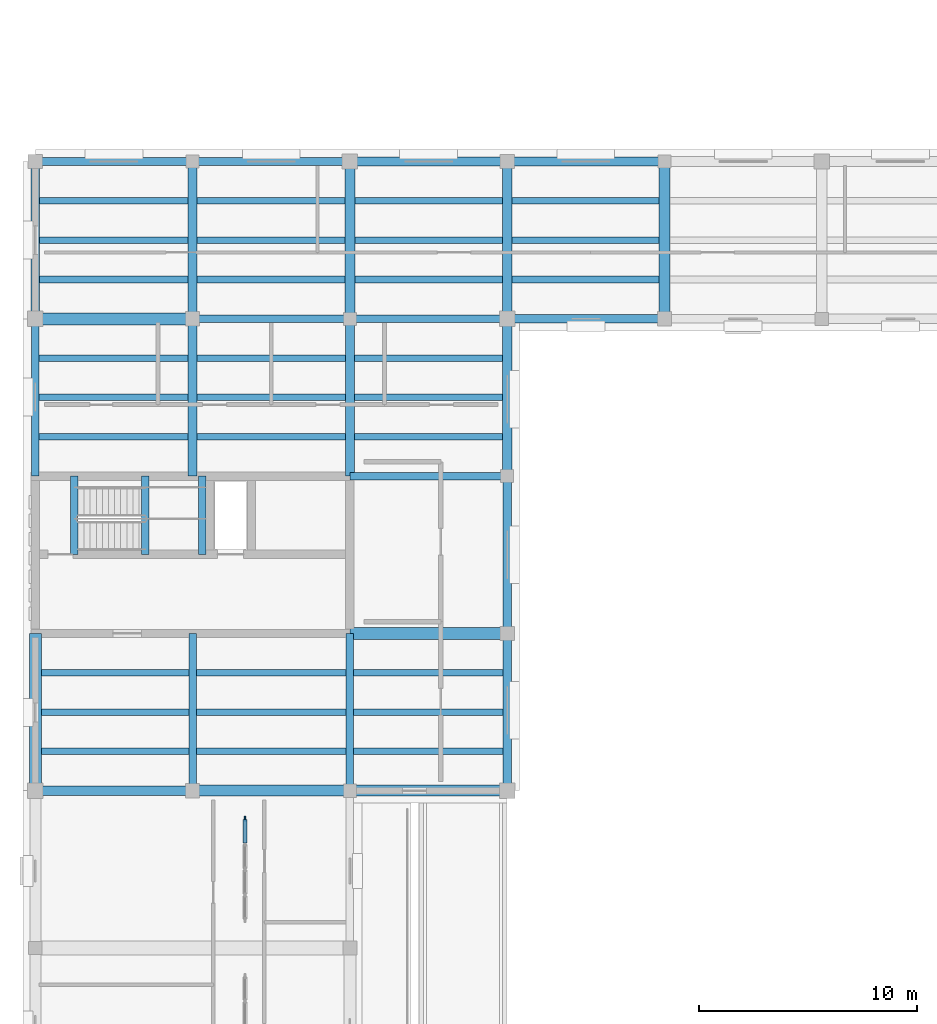
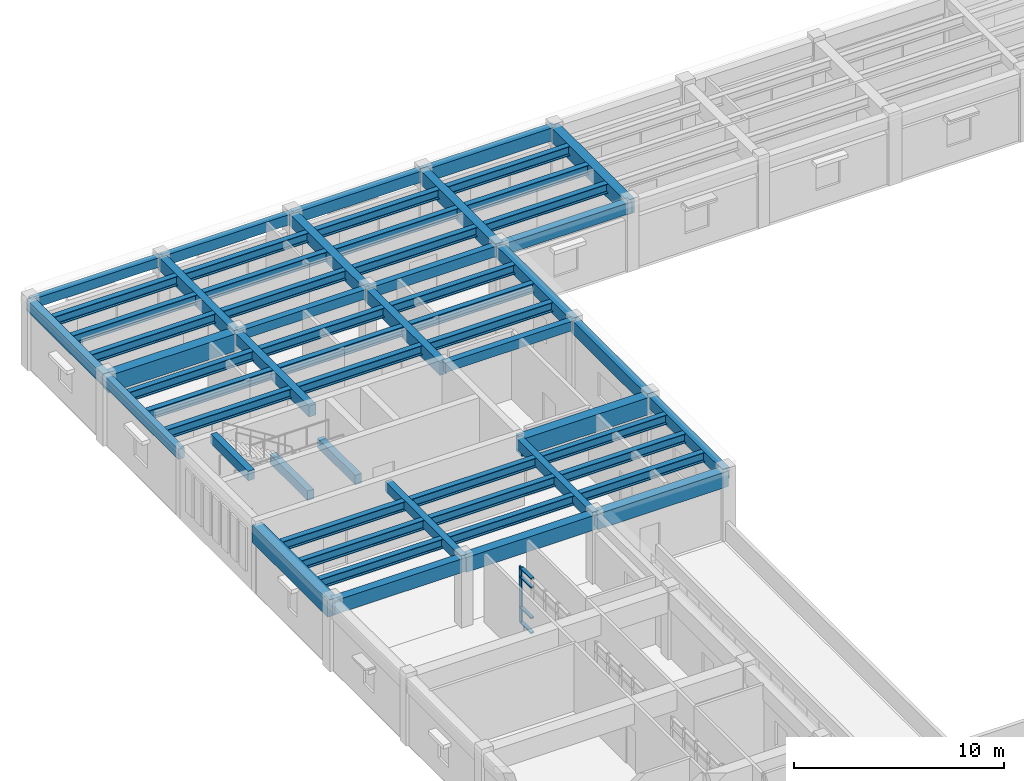
# One storey, part 3 of 40: 60 beams, 5 members, 1 element without a shape of its own.
"""IFC4 building model written with IfcOpenShell, lengths in metres."""

from ifc_helpers import new_model, si_unit, direction, frame, origin, origin_2d, place, context, subcontext, project, spatial, rectangle, i_section, extrude, material, material_profile, profile_set, type_object, element, aggregate, save


model = new_model("IFC4")

# Units and contexts
model_context = context("Model", 3, precision=1e-05, world=origin(), true_north=direction((0.0, 1.0)))
body_context = subcontext(model_context, "Body", "Model", "MODEL_VIEW")
ifc_project = project(units=[si_unit("LENGTHUNIT", "METRE"), si_unit("AREAUNIT", "SQUARE_METRE"), si_unit("VOLUMEUNIT", "CUBIC_METRE"), si_unit("PLANEANGLEUNIT", "RADIAN"), si_unit("MASSUNIT", "GRAM", prefix="KILO")], contexts=[model_context])

# Site, building, storey
site_placement = place(None, origin())
site = spatial("IfcSite", under=ifc_project, at=site_placement, CompositionType="ELEMENT")
building_placement = place(site_placement, origin())
building = spatial("IfcBuilding", under=site, at=building_placement, Name="Mithqara Police Headquarters", CompositionType="ELEMENT")
storey_placement = place(building_placement, frame((0.0, 0.0, 13.800048828125)))
storey = spatial("IfcBuildingStorey", under=building, at=storey_placement, Name="L03", CompositionType="ELEMENT", Elevation=13.800048828125)

# Beams
ifc_material_1 = material(Name="Steel S355JR", Category="steel")
ifc_material_profile_1 = material_profile(ifc_material_1, i_section(OverallWidth=0.300048828125, OverallDepth=0.550048828125, WebThickness=0.014892578125, FlangeThickness=0.029052734375, FilletRadius=0.027099609375, at=origin_2d()), Name="HEB 550")
ifc_profile_set_1 = profile_set([ifc_material_profile_1], Name="Steel S355JR")
beam_type_1 = type_object("IfcBeamType", Name="BEAM HEB550", PredefinedType="BEAM", material=ifc_profile_set_1)
for number, where, z_axis, x_axis, name in (
    (1, (8.074951171875, 58.800048828125, 3.6650390625), (1.0, 0.0, 0.0), (0.0, 1.0, 0.0), "L03 Composite Steel Joist 2-3/J.1"),
    (2, (8.074951171875, 60.60009765625, 3.6650390625), (1.0, 0.0, 0.0), (0.0, 1.0, 0.0), "L03 Composite Steel Joist 2-3/J.2"),
    (3, (8.074951171875, 62.39990234375, 3.6650390625), (1.0, 0.0, 0.0), (0.0, 1.0, 0.0), "L03 Composite Steel Joist 2-3/J.3"),
):
    element("IfcBeam", number, at=place(storey_placement, frame(where, z_axis=z_axis, x_axis=x_axis)), inside=storey, type_object=beam_type_1, Name=name, PredefinedType="BEAM", context=body_context, shape_type="SweptSolid", body=[
        extrude(i_section(OverallWidth=0.300048828125, OverallDepth=0.550048828125, WebThickness=0.014892578125, FlangeThickness=0.029052734375, FilletRadius=0.027099609375, at=origin_2d()), origin(), (0.0, 0.0, 1.0), 6.75),
    ])
for number, where, z_axis, x_axis, name in (
    (4, (7.97509765625, 73.199951171875, 3.6650390625), (1.0, 0.0, 0.0), (0.0, 1.0, 0.0), "L03 Composite Steel Joist 2-3/L.1"),
    (5, (7.97509765625, 75.0, 3.6650390625), (1.0, 0.0, 0.0), (0.0, 1.0, 0.0), "L03 Composite Steel Joist 2-3/L.2"),
    (6, (7.97509765625, 76.800048828125, 3.6650390625), (1.0, 0.0, 0.0), (0.0, 1.0, 0.0), "L03 Composite Steel Joist 2-3/L.3"),
):
    element("IfcBeam", number, at=place(storey_placement, frame(where, z_axis=z_axis, x_axis=x_axis)), inside=storey, type_object=beam_type_1, Name=name, PredefinedType="BEAM", context=body_context, shape_type="SweptSolid", body=[
        extrude(i_section(OverallWidth=0.300048828125, OverallDepth=0.550048828125, WebThickness=0.014892578125, FlangeThickness=0.029052734375, FilletRadius=0.027099609375, at=origin_2d()), origin(), (0.0, 0.0, 1.0), 6.824951171875),
    ])
for number, where, z_axis, x_axis, name in (
    (7, (8.0, 80.39990234375, 3.6650390625), (1.0, 0.0, 0.0), (0.0, 1.0, 0.0), "L03 Composite Steel Joist 2-3/M.1"),
    (8, (8.0, 82.199951171875, 3.6650390625), (1.0, 0.0, 0.0), (0.0, 1.0, 0.0), "L03 Composite Steel Joist 2-3/M.2"),
    (9, (8.0, 84.0, 3.6650390625), (1.0, 0.0, 0.0), (0.0, 1.0, 0.0), "L03 Composite Steel Joist 2-3/M.3"),
):
    element("IfcBeam", number, at=place(storey_placement, frame(where, z_axis=z_axis, x_axis=x_axis)), inside=storey, type_object=beam_type_1, Name=name, PredefinedType="BEAM", context=body_context, shape_type="SweptSolid", body=[
        extrude(i_section(OverallWidth=0.300048828125, OverallDepth=0.550048828125, WebThickness=0.014892578125, FlangeThickness=0.029052734375, FilletRadius=0.027099609375, at=origin_2d()), origin(), (0.0, 0.0, 1.0), 6.800048828125),
    ])
for number, where, z_axis, x_axis, name in (
    (10, (15.175048828125, 58.800048828125, 3.6650390625), (1.0, 0.0, 0.0), (0.0, 1.0, 0.0), "L03 Composite Steel Joist 3-4/J.1"),
    (11, (15.175048828125, 60.60009765625, 3.6650390625), (1.0, 0.0, 0.0), (0.0, 1.0, 0.0), "L03 Composite Steel Joist 3-4/J.2"),
    (12, (15.175048828125, 62.39990234375, 3.6650390625), (1.0, 0.0, 0.0), (0.0, 1.0, 0.0), "L03 Composite Steel Joist 3-4/J.3"),
):
    element("IfcBeam", number, at=place(storey_placement, frame(where, z_axis=z_axis, x_axis=x_axis)), inside=storey, type_object=beam_type_1, Name=name, PredefinedType="BEAM", context=body_context, shape_type="SweptSolid", body=[
        extrude(i_section(OverallWidth=0.300048828125, OverallDepth=0.550048828125, WebThickness=0.014892578125, FlangeThickness=0.029052734375, FilletRadius=0.027099609375, at=origin_2d()), origin(), (0.0, 0.0, 1.0), 6.849853515625),
    ])
for number, where, z_axis, x_axis, name in (
    (13, (15.199951171875, 73.199951171875, 3.6650390625), (1.0, 0.0, 0.0), (0.0, 1.0, 0.0), "L03 Composite Steel Joist 3-4/L.1"),
    (14, (15.199951171875, 75.0, 3.6650390625), (1.0, 0.0, 0.0), (0.0, 1.0, 0.0), "L03 Composite Steel Joist 3-4/L.2"),
    (15, (15.199951171875, 76.800048828125, 3.6650390625), (1.0, 0.0, 0.0), (0.0, 1.0, 0.0), "L03 Composite Steel Joist 3-4/L.3"),
):
    element("IfcBeam", number, at=place(storey_placement, frame(where, z_axis=z_axis, x_axis=x_axis)), inside=storey, type_object=beam_type_1, Name=name, PredefinedType="BEAM", context=body_context, shape_type="SweptSolid", body=[
        extrude(i_section(OverallWidth=0.300048828125, OverallDepth=0.550048828125, WebThickness=0.014892578125, FlangeThickness=0.029052734375, FilletRadius=0.027099609375, at=origin_2d()), origin(), (0.0, 0.0, 1.0), 6.800048828125),
    ])
for number, where, z_axis, x_axis, name in (
    (16, (15.199951171875, 80.39990234375, 3.6650390625), (1.0, 0.0, 0.0), (0.0, 1.0, 0.0), "L03 Composite Steel Joist 3-4/M.1"),
    (17, (15.199951171875, 82.199951171875, 3.6650390625), (1.0, 0.0, 0.0), (0.0, 1.0, 0.0), "L03 Composite Steel Joist 3-4/M.2"),
    (18, (15.199951171875, 84.0, 3.6650390625), (1.0, 0.0, 0.0), (0.0, 1.0, 0.0), "L03 Composite Steel Joist 3-4/M.3"),
):
    element("IfcBeam", number, at=place(storey_placement, frame(where, z_axis=z_axis, x_axis=x_axis)), inside=storey, type_object=beam_type_1, Name=name, PredefinedType="BEAM", context=body_context, shape_type="SweptSolid", body=[
        extrude(i_section(OverallWidth=0.300048828125, OverallDepth=0.550048828125, WebThickness=0.014892578125, FlangeThickness=0.029052734375, FilletRadius=0.027099609375, at=origin_2d()), origin(), (0.0, 0.0, 1.0), 6.775146484375),
    ])
for number, where, z_axis, x_axis, name in (
    (19, (22.375, 58.800048828125, 3.6650390625), (1.0, 0.0, 0.0), (0.0, 1.0, 0.0), "L03 Composite Steel Joist 4-5/J.1"),
    (20, (22.375, 60.60009765625, 3.6650390625), (1.0, 0.0, 0.0), (0.0, 1.0, 0.0), "L03 Composite Steel Joist 4-5/J.2"),
    (21, (22.375, 62.39990234375, 3.6650390625), (1.0, 0.0, 0.0), (0.0, 1.0, 0.0), "L03 Composite Steel Joist 4-5/J.3"),
):
    element("IfcBeam", number, at=place(storey_placement, frame(where, z_axis=z_axis, x_axis=x_axis)), inside=storey, type_object=beam_type_1, Name=name, PredefinedType="BEAM", context=body_context, shape_type="SweptSolid", body=[
        extrude(i_section(OverallWidth=0.300048828125, OverallDepth=0.550048828125, WebThickness=0.014892578125, FlangeThickness=0.029052734375, FilletRadius=0.027099609375, at=origin_2d()), origin(), (0.0, 0.0, 1.0), 6.824951171875),
    ])
for number, where, z_axis, x_axis, name in (
    (22, (22.39990234375, 73.199951171875, 3.6650390625), (1.0, 0.0, 0.0), (0.0, 1.0, 0.0), "L03 Composite Steel Joist 4-5/L.1"),
    (23, (22.39990234375, 75.0, 3.6650390625), (1.0, 0.0, 0.0), (0.0, 1.0, 0.0), "L03 Composite Steel Joist 4-5/L.2"),
    (24, (22.39990234375, 76.800048828125, 3.6650390625), (1.0, 0.0, 0.0), (0.0, 1.0, 0.0), "L03 Composite Steel Joist 4-5/L.3"),
):
    element("IfcBeam", number, at=place(storey_placement, frame(where, z_axis=z_axis, x_axis=x_axis)), inside=storey, type_object=beam_type_1, Name=name, PredefinedType="BEAM", context=body_context, shape_type="SweptSolid", body=[
        extrude(i_section(OverallWidth=0.300048828125, OverallDepth=0.550048828125, WebThickness=0.014892578125, FlangeThickness=0.029052734375, FilletRadius=0.027099609375, at=origin_2d()), origin(), (0.0, 0.0, 1.0), 6.775146484375),
    ])
for number, where, z_axis, x_axis, name in (
    (25, (22.425048828125, 80.39990234375, 3.6650390625), (1.0, 0.0, 0.0), (0.0, 1.0, 0.0), "L03 Composite Steel Joist 4-5/M.1"),
    (26, (22.425048828125, 82.199951171875, 3.6650390625), (1.0, 0.0, 0.0), (0.0, 1.0, 0.0), "L03 Composite Steel Joist 4-5/M.2"),
    (27, (22.425048828125, 84.0, 3.6650390625), (1.0, 0.0, 0.0), (0.0, 1.0, 0.0), "L03 Composite Steel Joist 4-5/M.3"),
):
    element("IfcBeam", number, at=place(storey_placement, frame(where, z_axis=z_axis, x_axis=x_axis)), inside=storey, type_object=beam_type_1, Name=name, PredefinedType="BEAM", context=body_context, shape_type="SweptSolid", body=[
        extrude(i_section(OverallWidth=0.300048828125, OverallDepth=0.550048828125, WebThickness=0.014892578125, FlangeThickness=0.029052734375, FilletRadius=0.027099609375, at=origin_2d()), origin(), (0.0, 0.0, 1.0), 6.75),
    ])
for number, where, z_axis, x_axis, name in (
    (28, (29.625, 80.39990234375, 3.6650390625), (1.0, 0.0, 0.0), (0.0, 1.0, 0.0), "L03 Composite Steel Joist 5-6/M.1"),
    (29, (29.625, 82.199951171875, 3.6650390625), (1.0, 0.0, 0.0), (0.0, 1.0, 0.0), "L03 Composite Steel Joist 5-6/M.2"),
    (30, (29.625, 84.0, 3.6650390625), (1.0, 0.0, 0.0), (0.0, 1.0, 0.0), "L03 Composite Steel Joist 5-6/M.3"),
):
    element("IfcBeam", number, at=place(storey_placement, frame(where, z_axis=z_axis, x_axis=x_axis)), inside=storey, type_object=beam_type_1, Name=name, PredefinedType="BEAM", context=body_context, shape_type="SweptSolid", body=[
        extrude(i_section(OverallWidth=0.300048828125, OverallDepth=0.550048828125, WebThickness=0.014892578125, FlangeThickness=0.029052734375, FilletRadius=0.027099609375, at=origin_2d()), origin(), (0.0, 0.0, 1.0), 6.72509765625),
    ])
ifc_material_2 = material(Name="Concrete C40/50", Category="concrete")
ifc_material_profile_2 = material_profile(ifc_material_2, rectangle(XDim=0.35009765625, YDim=0.550048828125, at=origin_2d()), Name="RC 350x550")
ifc_profile_set_2 = profile_set([ifc_material_profile_2], Name="Concrete C40/50")
beam_type_2 = type_object("IfcBeamType", Name="BEAM RC350X550", PredefinedType="BEAM", material=ifc_profile_set_2)
for number, where, z_axis, x_axis, name in (
    (31, (7.800048828125, 85.800048828125, 3.6650390625), (1.0, 0.0, 0.0), (0.0, 1.0, 0.0), "L03 Girder 2-3/N"),
    (32, (15.0, 57.0, 3.6650390625), (0.0, 1.0, 0.0), (-1.0, 0.0, 0.0), "L03 Girder 3/J-K"),
    (33, (15.0, 78.60009765625, 3.6650390625), (1.0, 0.0, 0.0), (0.0, 1.0, 0.0), "L03 Girder 3-4/M"),
    (34, (22.199951171875, 71.39990234375, 3.6650390625), (1.0, 0.0, 0.0), (0.0, 1.0, 0.0), "L03 Girder 4-5/L"),
):
    element("IfcBeam", number, at=place(storey_placement, frame(where, z_axis=z_axis, x_axis=x_axis)), inside=storey, type_object=beam_type_2, Name=name, PredefinedType="BEAM", context=body_context, shape_type="SweptSolid", body=[
        extrude(rectangle(XDim=0.35009765625, YDim=0.550048828125, at=origin_2d()), origin(), (0.0, 0.0, 1.0), 7.199951171875),
    ])
for number, where, z_axis, x_axis, name in (
    (35, (12.830078125, 67.820068359375, 1.635009765625), (0.0, 1.0, 0.0), (-1.0, 0.0, 0.0), "L03 ST-03 Half-Landing Bearer LF"),
    (36, (15.449951171875, 67.820068359375, 1.635009765625), (0.0, 1.0, 0.0), (-1.0, 0.0, 0.0), "L03 ST-03 Half-Landing Bearer LB"),
    (37, (9.576904296875, 67.820068359375, 3.925048828125), (0.0, 1.0, 0.0), (-1.0, 0.0, 0.0), "L03 ST-03 Stairwell Trimmer Beam"),
):
    element("IfcBeam", number, at=place(storey_placement, frame(where, z_axis=z_axis, x_axis=x_axis)), inside=storey, type_object=beam_type_2, Name=name, PredefinedType="BEAM", context=body_context, shape_type="SweptSolid", body=[
        extrude(rectangle(XDim=0.35009765625, YDim=0.550048828125, at=origin_2d()), origin(), (0.0, 0.0, 1.0), 3.579833984375),
    ])
ifc_material_profile_3 = material_profile(ifc_material_2, rectangle(XDim=0.35009765625, YDim=0.60009765625, at=origin_2d()), Name="RC 350x600")
ifc_profile_set_3 = profile_set([ifc_material_profile_3], Name="Concrete C40/50")
beam_type_3 = type_object("IfcBeamType", Name="BEAM RC350X600", PredefinedType="BEAM", material=ifc_profile_set_3)
beam_1_placement = place(storey_placement, frame((7.800048828125, 71.39990234375, 3.639892578125), z_axis=(0.0, 1.0, 0.0), x_axis=(-1.0, 0.0, 0.0)))
element("IfcBeam", 38, at=beam_1_placement, inside=storey, type_object=beam_type_3, Name="L03 Girder 2/L-M", PredefinedType="BEAM", context=body_context, shape_type="SweptSolid", body=[
    extrude(rectangle(XDim=0.35009765625, YDim=0.60009765625, at=origin_2d()), origin(), (0.0, 0.0, 1.0), 7.2001953125),
])
for number, where, z_axis, x_axis, name in (
    (39, (15.0, 85.800048828125, 3.639892578125), (1.0, 0.0, 0.0), (0.0, 1.0, 0.0), "L03 Girder 3-4/N"),
    (40, (22.199951171875, 57.0, 3.639892578125), (0.0, 1.0, 0.0), (-1.0, 0.0, 0.0), "L03 Girder 4/J-K"),
    (41, (22.199951171875, 78.60009765625, 3.639892578125), (1.0, 0.0, 0.0), (0.0, 1.0, 0.0), "L03 Girder 4-5/M"),
):
    element("IfcBeam", number, at=place(storey_placement, frame(where, z_axis=z_axis, x_axis=x_axis)), inside=storey, type_object=beam_type_3, Name=name, PredefinedType="BEAM", context=body_context, shape_type="SweptSolid", body=[
        extrude(rectangle(XDim=0.35009765625, YDim=0.60009765625, at=origin_2d()), origin(), (0.0, 0.0, 1.0), 7.199951171875),
    ])
ifc_material_profile_4 = material_profile(ifc_material_2, rectangle(XDim=0.39990234375, YDim=0.64990234375, at=origin_2d()), Name="RC 400x650")
ifc_profile_set_4 = profile_set([ifc_material_profile_4], Name="Concrete C40/50")
beam_type_4 = type_object("IfcBeamType", Name="BEAM RC400X650", PredefinedType="BEAM", material=ifc_profile_set_4)
beam_2_placement = place(storey_placement, frame((7.800048828125, 78.60009765625, 3.614990234375), z_axis=(0.0, 1.0, 0.0), x_axis=(-1.0, 0.0, 0.0)))
element("IfcBeam", 42, at=beam_2_placement, inside=storey, type_object=beam_type_4, Name="L03 Girder 2/M-N", PredefinedType="BEAM", context=body_context, shape_type="SweptSolid", body=[
    extrude(rectangle(XDim=0.39990234375, YDim=0.64990234375, at=origin_2d()), origin(), (0.0, 0.0, 1.0), 7.199951171875),
])
beam_3_placement = place(storey_placement, frame((15.0, 71.39990234375, 3.614990234375), z_axis=(0.0, 1.0, 0.0), x_axis=(-1.0, 0.0, 0.0)))
element("IfcBeam", 43, at=beam_3_placement, inside=storey, type_object=beam_type_4, Name="L03 Girder 3/L-M", PredefinedType="BEAM", context=body_context, shape_type="SweptSolid", body=[
    extrude(rectangle(XDim=0.39990234375, YDim=0.64990234375, at=origin_2d()), origin(), (0.0, 0.0, 1.0), 7.2001953125),
])
for number, where, z_axis, x_axis, name in (
    (44, (22.199951171875, 85.800048828125, 3.614990234375), (1.0, 0.0, 0.0), (0.0, 1.0, 0.0), "L03 Girder 4-5/N"),
    (45, (29.39990234375, 57.0, 3.614990234375), (0.0, 1.0, 0.0), (-1.0, 0.0, 0.0), "L03 Girder 5/J-K"),
):
    element("IfcBeam", number, at=place(storey_placement, frame(where, z_axis=z_axis, x_axis=x_axis)), inside=storey, type_object=beam_type_4, Name=name, PredefinedType="BEAM", context=body_context, shape_type="SweptSolid", body=[
        extrude(rectangle(XDim=0.39990234375, YDim=0.64990234375, at=origin_2d()), origin(), (0.0, 0.0, 1.0), 7.199951171875),
    ])
beam_4_placement = place(storey_placement, frame((29.39990234375, 78.60009765625, 3.614990234375), z_axis=(1.0, 0.0, 0.0), x_axis=(0.0, 1.0, 0.0)))
element("IfcBeam", 46, at=beam_4_placement, inside=storey, type_object=beam_type_4, Name="L03 Girder 5-6/M", PredefinedType="BEAM", context=body_context, shape_type="SweptSolid", body=[
    extrude(rectangle(XDim=0.39990234375, YDim=0.64990234375, at=origin_2d()), origin(), (0.0, 0.0, 1.0), 7.2001953125),
])
ifc_material_profile_5 = material_profile(ifc_material_2, rectangle(XDim=0.39990234375, YDim=0.75, at=origin_2d()), Name="RC 400x750")
ifc_profile_set_5 = profile_set([ifc_material_profile_5], Name="Concrete C40/50")
beam_type_5 = type_object("IfcBeamType", Name="BEAM RC400X750", PredefinedType="BEAM", material=ifc_profile_set_5)
beam_5_placement = place(storey_placement, frame((15.0, 78.60009765625, 3.56494140625), z_axis=(0.0, 1.0, 0.0), x_axis=(-1.0, 0.0, 0.0)))
element("IfcBeam", 47, at=beam_5_placement, inside=storey, type_object=beam_type_5, Name="L03 Girder 3/M-N", PredefinedType="BEAM", context=body_context, shape_type="SweptSolid", body=[
    extrude(rectangle(XDim=0.39990234375, YDim=0.75, at=origin_2d()), origin(), (0.0, 0.0, 1.0), 7.199951171875),
])
beam_6_placement = place(storey_placement, frame((22.199951171875, 71.39990234375, 3.56494140625), z_axis=(0.0, 1.0, 0.0), x_axis=(-1.0, 0.0, 0.0)))
element("IfcBeam", 48, at=beam_6_placement, inside=storey, type_object=beam_type_5, Name="L03 Girder 4/L-M", PredefinedType="BEAM", context=body_context, shape_type="SweptSolid", body=[
    extrude(rectangle(XDim=0.39990234375, YDim=0.75, at=origin_2d()), origin(), (0.0, 0.0, 1.0), 7.2001953125),
])
beam_7_placement = place(storey_placement, frame((29.39990234375, 64.199951171875, 3.56494140625), z_axis=(0.0, 1.0, 0.0), x_axis=(-1.0, 0.0, 0.0)))
element("IfcBeam", 49, at=beam_7_placement, inside=storey, type_object=beam_type_5, Name="L03 Girder 5/K-L", PredefinedType="BEAM", context=body_context, shape_type="SweptSolid", body=[
    extrude(rectangle(XDim=0.39990234375, YDim=0.75, at=origin_2d()), origin(), (0.0, 0.0, 1.0), 7.199951171875),
])
beam_8_placement = place(storey_placement, frame((29.39990234375, 85.800048828125, 3.56494140625), z_axis=(1.0, 0.0, 0.0), x_axis=(0.0, 1.0, 0.0)))
element("IfcBeam", 50, at=beam_8_placement, inside=storey, type_object=beam_type_5, Name="L03 Girder 5-6/N", PredefinedType="BEAM", context=body_context, shape_type="SweptSolid", body=[
    extrude(rectangle(XDim=0.39990234375, YDim=0.75, at=origin_2d()), origin(), (0.0, 0.0, 1.0), 7.2001953125),
])
ifc_material_profile_6 = material_profile(ifc_material_2, rectangle(XDim=0.449951171875, YDim=0.699951171875, at=origin_2d()), Name="RC 450x700")
ifc_profile_set_6 = profile_set([ifc_material_profile_6], Name="Concrete C40/50")
beam_type_6 = type_object("IfcBeamType", Name="BEAM RC450X700", PredefinedType="BEAM", material=ifc_profile_set_6)
beam_9_placement = place(storey_placement, frame((22.199951171875, 78.60009765625, 3.58984375), z_axis=(0.0, 1.0, 0.0), x_axis=(-1.0, 0.0, 0.0)))
element("IfcBeam", 51, at=beam_9_placement, inside=storey, type_object=beam_type_6, Name="L03 Girder 4/M-N", PredefinedType="BEAM", context=body_context, shape_type="SweptSolid", body=[
    extrude(rectangle(XDim=0.449951171875, YDim=0.699951171875, at=origin_2d()), origin(), (0.0, 0.0, 1.0), 7.199951171875),
])
beam_10_placement = place(storey_placement, frame((29.39990234375, 71.39990234375, 3.58984375), z_axis=(0.0, 1.0, 0.0), x_axis=(-1.0, 0.0, 0.0)))
element("IfcBeam", 52, at=beam_10_placement, inside=storey, type_object=beam_type_6, Name="L03 Girder 5/L-M", PredefinedType="BEAM", context=body_context, shape_type="SweptSolid", body=[
    extrude(rectangle(XDim=0.449951171875, YDim=0.699951171875, at=origin_2d()), origin(), (0.0, 0.0, 1.0), 7.2001953125),
])
ifc_material_profile_7 = material_profile(ifc_material_2, rectangle(XDim=0.449951171875, YDim=0.800048828125, at=origin_2d()), Name="RC 450x800")
ifc_profile_set_7 = profile_set([ifc_material_profile_7], Name="Concrete C40/50")
beam_type_7 = type_object("IfcBeamType", Name="BEAM RC450X800", PredefinedType="BEAM", material=ifc_profile_set_7)
for number, where, z_axis, x_axis, name in (
    (53, (7.800048828125, 57.0, 3.5400390625), (1.0, 0.0, 0.0), (0.0, 1.0, 0.0), "L03 Girder 2-3/J"),
    (54, (29.39990234375, 78.60009765625, 3.5400390625), (0.0, 1.0, 0.0), (-1.0, 0.0, 0.0), "L03 Girder 5/M-N"),
):
    element("IfcBeam", number, at=place(storey_placement, frame(where, z_axis=z_axis, x_axis=x_axis)), inside=storey, type_object=beam_type_7, Name=name, PredefinedType="BEAM", context=body_context, shape_type="SweptSolid", body=[
        extrude(rectangle(XDim=0.449951171875, YDim=0.800048828125, at=origin_2d()), origin(), (0.0, 0.0, 1.0), 7.199951171875),
    ])
ifc_material_profile_8 = material_profile(ifc_material_2, rectangle(XDim=0.5, YDim=0.85009765625, at=origin_2d()), Name="RC 500x850")
ifc_profile_set_8 = profile_set([ifc_material_profile_8], Name="Concrete C40/50")
beam_type_8 = type_object("IfcBeamType", Name="BEAM RC500X850", PredefinedType="BEAM", material=ifc_profile_set_8)
for number, where, z_axis, x_axis, name in (
    (55, (15.0, 57.0, 3.514892578125), (1.0, 0.0, 0.0), (0.0, 1.0, 0.0), "L03 Girder 3-4/J"),
    (56, (36.60009765625, 78.60009765625, 3.514892578125), (0.0, 1.0, 0.0), (-1.0, 0.0, 0.0), "L03 Girder 6/M-N"),
):
    element("IfcBeam", number, at=place(storey_placement, frame(where, z_axis=z_axis, x_axis=x_axis)), inside=storey, type_object=beam_type_8, Name=name, PredefinedType="BEAM", context=body_context, shape_type="SweptSolid", body=[
        extrude(rectangle(XDim=0.5, YDim=0.85009765625, at=origin_2d()), origin(), (0.0, 0.0, 1.0), 7.199951171875),
    ])
ifc_material_3 = material(Name="Concrete C50/60", Category="concrete")
ifc_material_profile_9 = material_profile(ifc_material_3, rectangle(XDim=0.5, YDim=0.89990234375, at=origin_2d()), Name="RC 500x900")
ifc_profile_set_9 = profile_set([ifc_material_profile_9], Name="Concrete C50/60")
beam_type_9 = type_object("IfcBeamType", Name="BEAM RC500X900", PredefinedType="BEAM", material=ifc_profile_set_9)
beam_11_placement = place(storey_placement, frame((22.199951171875, 57.0, 3.489990234375), z_axis=(1.0, 0.0, 0.0), x_axis=(0.0, 1.0, 0.0)))
element("IfcBeam", 57, at=beam_11_placement, inside=storey, type_object=beam_type_9, Name="L03 Girder 4-5/J", PredefinedType="BEAM", context=body_context, shape_type="SweptSolid", body=[
    extrude(rectangle(XDim=0.5, YDim=0.89990234375, at=origin_2d()), origin(), (0.0, 0.0, 1.0), 7.199951171875),
])
ifc_material_profile_10 = material_profile(ifc_material_3, rectangle(XDim=0.550048828125, YDim=1.0, at=origin_2d()), Name="RC 550x1000")
ifc_profile_set_10 = profile_set([ifc_material_profile_10], Name="Concrete C50/60")
beam_type_10 = type_object("IfcBeamType", Name="BEAM RC550X1000", PredefinedType="BEAM", material=ifc_profile_set_10)
for number, where, z_axis, x_axis, name in (
    (58, (7.800048828125, 57.0, 3.43994140625), (0.0, 1.0, 0.0), (-1.0, 0.0, 0.0), "L03 Girder 2/J-K"),
    (59, (7.800048828125, 78.60009765625, 3.43994140625), (1.0, 0.0, 0.0), (0.0, 1.0, 0.0), "L03 Girder 2-3/M"),
    (60, (22.199951171875, 64.199951171875, 3.43994140625), (1.0, 0.0, 0.0), (0.0, 1.0, 0.0), "L03 Girder 4-5/K"),
):
    element("IfcBeam", number, at=place(storey_placement, frame(where, z_axis=z_axis, x_axis=x_axis)), inside=storey, type_object=beam_type_10, Name=name, PredefinedType="BEAM", context=body_context, shape_type="SweptSolid", body=[
        extrude(rectangle(XDim=0.550048828125, YDim=1.0, at=origin_2d()), origin(), (0.0, 0.0, 1.0), 7.199951171875),
    ])

# Curtain wall, members
ifc_material_4 = material(Name="Bronze anodised aluminium 6063-T6", Category="aluminium")
curtain_wall_type = type_object("IfcCurtainWallType", Name="CURTAIN WALL 4700X3220", PredefinedType="USERDEFINED", material=ifc_material_4)
curtain_wall_placement = place(storey_placement, origin())
curtain_wall = element("IfcCurtainWall", 61, at=curtain_wall_placement, inside=storey, type_object=curtain_wall_type, Name="L03 Unitised Glazing CW-16 (CW-INT-L03-X02-Y07-0)", ObjectType="UNITISED GLAZING", PredefinedType="USERDEFINED")
ifc_material_profile_11 = material_profile(ifc_material_4, rectangle(XDim=0.074951171875, YDim=0.219970703125, at=origin_2d()), Name="CWM 75x220")
ifc_profile_set_11 = profile_set([ifc_material_profile_11], Name="Bronze anodised aluminium 6063-T6")
member_type_1 = type_object("IfcMemberType", Name="CWMULLION 75X220", PredefinedType="MULLION", material=ifc_profile_set_11)
member_1_placement = place(storey_placement, frame((17.39990234375, 55.71240234375, 0.0), z_axis=(0.0, 0.0, 1.0), x_axis=(-1.0, 0.0, 0.0)))
member_1 = element("IfcMember", 62, at=member_1_placement, type_object=member_type_1, Name="CW-16 mullion 5", PredefinedType="MULLION", context=body_context, shape_type="SweptSolid", body=[
    extrude(rectangle(XDim=0.074951171875, YDim=0.219970703125, at=origin_2d()), origin(), (0.0, 0.0, 1.0), 3.219970703125),
])
ifc_material_profile_12 = material_profile(ifc_material_4, rectangle(XDim=0.179931640625, YDim=0.074951171875, at=origin_2d()), Name="CWT 180x75")
ifc_profile_set_12 = profile_set([ifc_material_profile_12], Name="Bronze anodised aluminium 6063-T6")
member_type_2 = type_object("IfcMemberType", Name="CWTRANSOM 180X75", PredefinedType="USERDEFINED", material=ifc_profile_set_12)
member_2_placement = place(storey_placement, frame((17.39990234375, 54.612548828125, 0.037353515625), z_axis=(0.0, 1.0, 0.0), x_axis=(-1.0, 0.0, 0.0)))
member_2 = element("IfcMember", 63, at=member_2_placement, type_object=member_type_2, Name="CW-16 transom 4.1", ObjectType="TRANSOM", PredefinedType="USERDEFINED", context=body_context, shape_type="SweptSolid", body=[
    extrude(rectangle(XDim=0.179931640625, YDim=0.074951171875, at=origin_2d()), origin(), (0.0, 0.0, 1.0), 1.0625),
])
member_3_placement = place(storey_placement, frame((17.39990234375, 54.612548828125, 0.89990234375), z_axis=(0.0, 1.0, 0.0), x_axis=(-1.0, 0.0, 0.0)))
member_3 = element("IfcMember", 64, at=member_3_placement, type_object=member_type_2, Name="CW-16 transom 4.2", ObjectType="TRANSOM", PredefinedType="USERDEFINED", context=body_context, shape_type="SweptSolid", body=[
    extrude(rectangle(XDim=0.179931640625, YDim=0.074951171875, at=origin_2d()), origin(), (0.0, 0.0, 1.0), 1.0625),
])
member_4_placement = place(storey_placement, frame((17.39990234375, 54.612548828125, 2.669921875), z_axis=(0.0, 1.0, 0.0), x_axis=(-1.0, 0.0, 0.0)))
member_4 = element("IfcMember", 65, at=member_4_placement, type_object=member_type_2, Name="CW-16 transom 4.3", ObjectType="TRANSOM", PredefinedType="USERDEFINED", context=body_context, shape_type="SweptSolid", body=[
    extrude(rectangle(XDim=0.179931640625, YDim=0.074951171875, at=origin_2d()), origin(), (0.0, 0.0, 1.0), 1.0625),
])
member_5_placement = place(storey_placement, frame((17.39990234375, 54.612548828125, 3.182373046875), z_axis=(0.0, 1.0, 0.0), x_axis=(-1.0, 0.0, 0.0)))
member_5 = element("IfcMember", 66, at=member_5_placement, type_object=member_type_2, Name="CW-16 transom 4.4", ObjectType="TRANSOM", PredefinedType="USERDEFINED", context=body_context, shape_type="SweptSolid", body=[
    extrude(rectangle(XDim=0.179931640625, YDim=0.074951171875, at=origin_2d()), origin(), (0.0, 0.0, 1.0), 1.0625),
])
aggregate(curtain_wall, [member_1, member_2, member_3, member_4, member_5])

save(model, "model.ifc")
